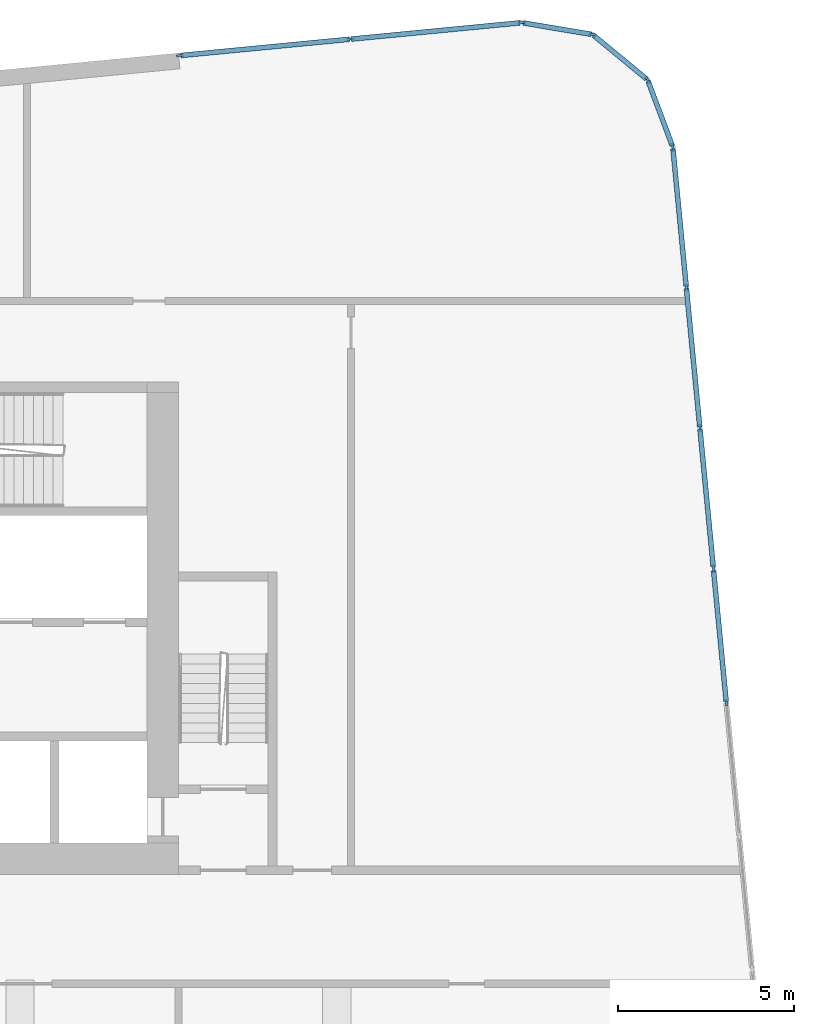
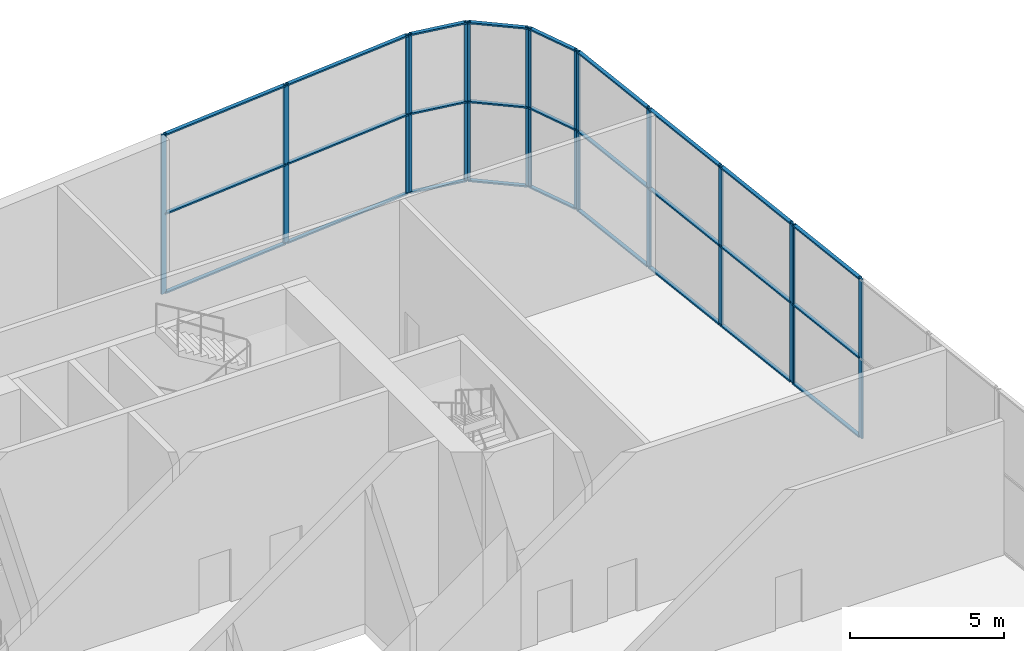
# One storey, part 8 of 25: 42 members, 6 elements without a shape of their own.
"""IFC4 building model written with IfcOpenShell, lengths in metres."""

from ifc_helpers import new_model, si_unit, direction, frame, origin, origin_2d, place, context, subcontext, project, spatial, rectangle, extrude, material, material_profile, profile_set, type_object, element, aggregate, save


model = new_model("IFC4")

# Units and contexts
model_context = context("Model", 3, precision=1e-05, world=origin(), true_north=direction((0.0, 1.0)))
body_context = subcontext(model_context, "Body", "Model", "MODEL_VIEW")
ifc_project = project(units=[si_unit("LENGTHUNIT", "METRE"), si_unit("AREAUNIT", "SQUARE_METRE"), si_unit("VOLUMEUNIT", "CUBIC_METRE"), si_unit("PLANEANGLEUNIT", "RADIAN"), si_unit("MASSUNIT", "GRAM", prefix="KILO")], contexts=[model_context])

# Site, building, storey
site_placement = place(None, origin())
site = spatial("IfcSite", under=ifc_project, at=site_placement, CompositionType="ELEMENT")
building_placement = place(site_placement, origin())
building = spatial("IfcBuilding", under=site, at=building_placement, Name="Kajstack Hotel Tower", CompositionType="ELEMENT")
storey_placement = place(building_placement, frame((0.0, 0.0, 104.199951171875)))
storey = spatial("IfcBuildingStorey", under=building, at=storey_placement, Name="L22", CompositionType="ELEMENT", Elevation=104.199951171875)

# Curtain wall, members
ifc_material_1 = material(Name="Aluminium-framed curtain wall, low-iron insulated glass", Category="aluminium")
curtain_wall_type = type_object("IfcCurtainWallType", Name="CW-GARDEN", PredefinedType="NOTDEFINED", material=ifc_material_1)
curtain_wall_1_placement = place(storey_placement, origin())
curtain_wall_1 = element("IfcCurtainWall", 1, at=curtain_wall_1_placement, inside=storey, type_object=curtain_wall_type, Name="Curtain wall CU6 L22-08-00-1", PredefinedType="NOTDEFINED")
ifc_material_2 = material(Name="Aluminium", Category="aluminium")
ifc_material_profile_1 = material_profile(ifc_material_2, rectangle(XDim=0.06005859375, YDim=0.199951171875, at=origin_2d()), Name="Aluminium mullion 60 x 200")
ifc_profile_set_1 = profile_set([ifc_material_profile_1], Name="Aluminium")
member_type_1 = type_object("IfcMemberType", Name="CW-M-GARDEN", PredefinedType="MULLION", material=ifc_profile_set_1)
member_1_placement = place(storey_placement, frame((47.068115234375, 6.392822265625, 0.0), z_axis=(0.0, 0.0, 1.0), x_axis=(-0.995396187581, -0.095845864541, 0.0)))
member_1 = element("IfcMember", 2, at=member_1_placement, type_object=member_type_1, Name="CU6 mullion 3", PredefinedType="MULLION", context=body_context, shape_type="SweptSolid", body=[
    extrude(rectangle(XDim=0.06005859375, YDim=0.199951171875, at=origin_2d()), origin(), (0.0, 0.0, 1.0), 6.320068359375),
])
member_2_placement = place(storey_placement, frame((46.705078125, 10.1630859375, 0.0), z_axis=(0.0, 0.0, 1.0), x_axis=(-0.995396187581, -0.095845864541, 0.0)))
member_2 = element("IfcMember", 3, at=member_2_placement, type_object=member_type_1, Name="CU6 mullion 4", PredefinedType="MULLION", context=body_context, shape_type="SweptSolid", body=[
    extrude(rectangle(XDim=0.06005859375, YDim=0.199951171875, at=origin_2d()), origin(), (0.0, 0.0, 1.0), 6.320068359375),
])

curtain_wall_2_placement = place(storey_placement, origin())
curtain_wall_2 = element("IfcCurtainWall", 4, at=curtain_wall_2_placement, inside=storey, type_object=curtain_wall_type, Name="Curtain wall CU6 L22-08-00-2", PredefinedType="NOTDEFINED")
member_3_placement = place(storey_placement, frame((46.69921875, 10.22265625, 0.0), z_axis=(0.0, 0.0, 1.0), x_axis=(-0.995396182124, -0.095845921211, 0.0)))
member_3 = element("IfcMember", 5, at=member_3_placement, type_object=member_type_1, Name="CU6 mullion 1", PredefinedType="MULLION", context=body_context, shape_type="SweptSolid", body=[
    extrude(rectangle(XDim=0.06005859375, YDim=0.199951171875, at=origin_2d()), origin(), (0.0, 0.0, 1.0), 6.320068359375),
])
member_4_placement = place(storey_placement, frame((46.3173828125, 14.18896484375, 0.0), z_axis=(0.0, 0.0, 1.0), x_axis=(-0.995396182124, -0.095845921211, 0.0)))
member_4 = element("IfcMember", 6, at=member_4_placement, type_object=member_type_1, Name="CU6 mullion 2", PredefinedType="MULLION", context=body_context, shape_type="SweptSolid", body=[
    extrude(rectangle(XDim=0.06005859375, YDim=0.199951171875, at=origin_2d()), origin(), (0.0, 0.0, 1.0), 6.320068359375),
])
member_5_placement = place(storey_placement, frame((45.9326171875, 18.185302734375, 0.0), z_axis=(0.0, 0.0, 1.0), x_axis=(-0.995396182124, -0.095845921211, 0.0)))
member_5 = element("IfcMember", 7, at=member_5_placement, type_object=member_type_1, Name="CU6 mullion 3", PredefinedType="MULLION", context=body_context, shape_type="SweptSolid", body=[
    extrude(rectangle(XDim=0.06005859375, YDim=0.199951171875, at=origin_2d()), origin(), (0.0, 0.0, 1.0), 6.320068359375),
])
member_6_placement = place(storey_placement, frame((45.550537109375, 22.151611328125, 0.0), z_axis=(0.0, 0.0, 1.0), x_axis=(-0.995396182124, -0.095845921211, 0.0)))
member_6 = element("IfcMember", 8, at=member_6_placement, type_object=member_type_1, Name="CU6 mullion 4", PredefinedType="MULLION", context=body_context, shape_type="SweptSolid", body=[
    extrude(rectangle(XDim=0.06005859375, YDim=0.199951171875, at=origin_2d()), origin(), (0.0, 0.0, 1.0), 6.320068359375),
])

curtain_wall_3_placement = place(storey_placement, origin())
curtain_wall_3 = element("IfcCurtainWall", 9, at=curtain_wall_3_placement, inside=storey, type_object=curtain_wall_type, Name="Curtain wall CU6 L22-09-00-0", PredefinedType="NOTDEFINED")
member_7_placement = place(storey_placement, frame((45.541748046875, 22.1904296875, 0.0), z_axis=(0.0, 0.0, 1.0), x_axis=(-0.936680004881, -0.350186476689, 0.0)))
member_7 = element("IfcMember", 10, at=member_7_placement, type_object=member_type_1, Name="CU6 mullion 1", PredefinedType="MULLION", context=body_context, shape_type="SweptSolid", body=[
    extrude(rectangle(XDim=0.06005859375, YDim=0.199951171875, at=origin_2d()), origin(), (0.0, 0.0, 1.0), 6.320068359375),
])
member_8_placement = place(storey_placement, frame((44.837646484375, 24.07373046875, 0.0), z_axis=(0.0, 0.0, 1.0), x_axis=(-0.936680004881, -0.350186476689, 0.0)))
member_8 = element("IfcMember", 11, at=member_8_placement, type_object=member_type_1, Name="CU6 mullion 2", PredefinedType="MULLION", context=body_context, shape_type="SweptSolid", body=[
    extrude(rectangle(XDim=0.06005859375, YDim=0.199951171875, at=origin_2d()), origin(), (0.0, 0.0, 1.0), 6.320068359375),
])

curtain_wall_4_placement = place(storey_placement, origin())
curtain_wall_4 = element("IfcCurtainWall", 12, at=curtain_wall_4_placement, inside=storey, type_object=curtain_wall_type, Name="Curtain wall CU6 L22-10-00-0", PredefinedType="NOTDEFINED")
member_9_placement = place(storey_placement, frame((44.826416015625, 24.08935546875, 0.0), z_axis=(0.0, 0.0, 1.0), x_axis=(-0.636066072627, -0.771634596978, 0.0)))
member_9 = element("IfcMember", 13, at=member_9_placement, type_object=member_type_1, Name="CU6 mullion 1", PredefinedType="MULLION", context=body_context, shape_type="SweptSolid", body=[
    extrude(rectangle(XDim=0.06005859375, YDim=0.199951171875, at=origin_2d()), origin(), (0.0, 0.0, 1.0), 6.320068359375),
])
member_10_placement = place(storey_placement, frame((43.275146484375, 25.3681640625, 0.0), z_axis=(0.0, 0.0, 1.0), x_axis=(-0.636066072627, -0.771634596978, 0.0)))
member_10 = element("IfcMember", 14, at=member_10_placement, type_object=member_type_1, Name="CU6 mullion 2", PredefinedType="MULLION", context=body_context, shape_type="SweptSolid", body=[
    extrude(rectangle(XDim=0.06005859375, YDim=0.199951171875, at=origin_2d()), origin(), (0.0, 0.0, 1.0), 6.320068359375),
])

curtain_wall_5_placement = place(storey_placement, origin())
curtain_wall_5 = element("IfcCurtainWall", 15, at=curtain_wall_5_placement, inside=storey, type_object=curtain_wall_type, Name="Curtain wall CU6 L22-11-00-0", PredefinedType="NOTDEFINED")
member_11_placement = place(storey_placement, frame((43.257568359375, 25.376220703125, 0.0), z_axis=(0.0, 0.0, 1.0), x_axis=(-0.16503335054, -0.986287986954, 0.0)))
member_11 = element("IfcMember", 16, at=member_11_placement, type_object=member_type_1, Name="CU6 mullion 1", PredefinedType="MULLION", context=body_context, shape_type="SweptSolid", body=[
    extrude(rectangle(XDim=0.06005859375, YDim=0.199951171875, at=origin_2d()), origin(), (0.0, 0.0, 1.0), 6.320068359375),
])
member_12_placement = place(storey_placement, frame((41.274658203125, 25.7080078125, 0.0), z_axis=(0.0, 0.0, 1.0), x_axis=(-0.16503335054, -0.986287986954, 0.0)))
member_12 = element("IfcMember", 17, at=member_12_placement, type_object=member_type_1, Name="CU6 mullion 2", PredefinedType="MULLION", context=body_context, shape_type="SweptSolid", body=[
    extrude(rectangle(XDim=0.06005859375, YDim=0.199951171875, at=origin_2d()), origin(), (0.0, 0.0, 1.0), 6.320068359375),
])

curtain_wall_6_placement = place(storey_placement, origin())
curtain_wall_6 = element("IfcCurtainWall", 18, at=curtain_wall_6_placement, inside=storey, type_object=curtain_wall_type, Name="Curtain wall CU6 L22-12-00-0", PredefinedType="NOTDEFINED")
member_13_placement = place(storey_placement, frame((41.23486328125, 25.70947265625, 0.0), z_axis=(0.0, 0.0, 1.0), x_axis=(0.095845499918, -0.99539622269, 0.0)))
member_13 = element("IfcMember", 19, at=member_13_placement, type_object=member_type_1, Name="CU6 mullion 1", PredefinedType="MULLION", context=body_context, shape_type="SweptSolid", body=[
    extrude(rectangle(XDim=0.06005859375, YDim=0.199951171875, at=origin_2d()), origin(), (0.0, 0.0, 1.0), 6.320068359375),
])
member_14_placement = place(storey_placement, frame((36.385986328125, 25.242431640625, 0.0), z_axis=(0.0, 0.0, 1.0), x_axis=(0.095845499918, -0.99539622269, 0.0)))
member_14 = element("IfcMember", 20, at=member_14_placement, type_object=member_type_1, Name="CU6 mullion 2", PredefinedType="MULLION", context=body_context, shape_type="SweptSolid", body=[
    extrude(rectangle(XDim=0.06005859375, YDim=0.199951171875, at=origin_2d()), origin(), (0.0, 0.0, 1.0), 6.320068359375),
])
member_15_placement = place(storey_placement, frame((31.537109375, 24.775634765625, 0.0), z_axis=(0.0, 0.0, 1.0), x_axis=(0.095845499918, -0.99539622269, 0.0)))
member_15 = element("IfcMember", 21, at=member_15_placement, type_object=member_type_1, Name="CU6 mullion 3", PredefinedType="MULLION", context=body_context, shape_type="SweptSolid", body=[
    extrude(rectangle(XDim=0.06005859375, YDim=0.199951171875, at=origin_2d()), origin(), (0.0, 0.0, 1.0), 6.320068359375),
])

# Member
ifc_material_profile_2 = material_profile(ifc_material_2, rectangle(XDim=0.139892578125, YDim=0.06005859375, at=origin_2d()), Name="Aluminium transom 140 x 60")
ifc_profile_set_2 = profile_set([ifc_material_profile_2], Name="Aluminium")
member_type_2 = type_object("IfcMemberType", Name="CW-T-GARDEN", PredefinedType="USERDEFINED", material=ifc_profile_set_2)
member_16_placement = place(storey_placement, frame((47.065185546875, 6.422607421875, 0.030029296875), z_axis=(-0.095884626486, 0.995392454464, 0.0), x_axis=(-0.995392454464, -0.095884626486, 0.0)))
member_16 = element("IfcMember", 22, at=member_16_placement, type_object=member_type_2, Name="CU6 transom 3.1", ObjectType="TRANSOM", PredefinedType="USERDEFINED", context=body_context, shape_type="SweptSolid", body=[
    extrude(rectangle(XDim=0.139892578125, YDim=0.06005859375, at=origin_2d()), origin(), (0.0, 0.0, 1.0), 3.7275390625),
])

member_17_placement = place(storey_placement, frame((47.065185546875, 6.422607421875, 3.16015625), z_axis=(-0.095884626486, 0.995392454464, 0.0), x_axis=(-0.995392454464, -0.095884626486, 0.0)))
member_17 = element("IfcMember", 23, at=member_17_placement, type_object=member_type_2, Name="CU6 transom 3.2", ObjectType="TRANSOM", PredefinedType="USERDEFINED", context=body_context, shape_type="SweptSolid", body=[
    extrude(rectangle(XDim=0.139892578125, YDim=0.06005859375, at=origin_2d()), origin(), (0.0, 0.0, 1.0), 3.7275390625),
])

member_18_placement = place(storey_placement, frame((47.065185546875, 6.422607421875, 6.2900390625), z_axis=(-0.095884626486, 0.995392454464, 0.0), x_axis=(-0.995392454464, -0.095884626486, 0.0)))
member_18 = element("IfcMember", 24, at=member_18_placement, type_object=member_type_2, Name="CU6 transom 3.3", ObjectType="TRANSOM", PredefinedType="USERDEFINED", context=body_context, shape_type="SweptSolid", body=[
    extrude(rectangle(XDim=0.139892578125, YDim=0.06005859375, at=origin_2d()), origin(), (0.0, 0.0, 1.0), 3.7275390625),
])

aggregate(curtain_wall_1, [member_1, member_2, member_16, member_17, member_18])

member_19_placement = place(storey_placement, frame((46.6962890625, 10.252685546875, 0.030029296875), z_axis=(-0.095801308316, 0.995400476856, 0.0), x_axis=(-0.995400476856, -0.095801308316, 0.0)))
member_19 = element("IfcMember", 25, at=member_19_placement, type_object=member_type_2, Name="CU6 transom 1.1", ObjectType="TRANSOM", PredefinedType="USERDEFINED", context=body_context, shape_type="SweptSolid", body=[
    extrude(rectangle(XDim=0.139892578125, YDim=0.06005859375, at=origin_2d()), origin(), (0.0, 0.0, 1.0), 3.924560546875),
])

member_20_placement = place(storey_placement, frame((46.6962890625, 10.252685546875, 3.16015625), z_axis=(-0.095801308316, 0.995400476856, 0.0), x_axis=(-0.995400476856, -0.095801308316, 0.0)))
member_20 = element("IfcMember", 26, at=member_20_placement, type_object=member_type_2, Name="CU6 transom 1.2", ObjectType="TRANSOM", PredefinedType="USERDEFINED", context=body_context, shape_type="SweptSolid", body=[
    extrude(rectangle(XDim=0.139892578125, YDim=0.06005859375, at=origin_2d()), origin(), (0.0, 0.0, 1.0), 3.924560546875),
])

member_21_placement = place(storey_placement, frame((46.6962890625, 10.252685546875, 6.2900390625), z_axis=(-0.095801308316, 0.995400476856, 0.0), x_axis=(-0.995400476856, -0.095801308316, 0.0)))
member_21 = element("IfcMember", 27, at=member_21_placement, type_object=member_type_2, Name="CU6 transom 1.3", ObjectType="TRANSOM", PredefinedType="USERDEFINED", context=body_context, shape_type="SweptSolid", body=[
    extrude(rectangle(XDim=0.139892578125, YDim=0.06005859375, at=origin_2d()), origin(), (0.0, 0.0, 1.0), 3.924560546875),
])

member_22_placement = place(storey_placement, frame((46.314453125, 14.218994140625, 0.030029296875), z_axis=(-0.095872383601, 0.995393633726, 0.0), x_axis=(-0.995393633726, -0.095872383601, 0.0)))
member_22 = element("IfcMember", 28, at=member_22_placement, type_object=member_type_2, Name="CU6 transom 2.1", ObjectType="TRANSOM", PredefinedType="USERDEFINED", context=body_context, shape_type="SweptSolid", body=[
    extrude(rectangle(XDim=0.139892578125, YDim=0.06005859375, at=origin_2d()), origin(), (0.0, 0.0, 1.0), 3.954833984375),
])

member_23_placement = place(storey_placement, frame((46.314453125, 14.218994140625, 3.16015625), z_axis=(-0.095872383601, 0.995393633726, 0.0), x_axis=(-0.995393633726, -0.095872383601, 0.0)))
member_23 = element("IfcMember", 29, at=member_23_placement, type_object=member_type_2, Name="CU6 transom 2.2", ObjectType="TRANSOM", PredefinedType="USERDEFINED", context=body_context, shape_type="SweptSolid", body=[
    extrude(rectangle(XDim=0.139892578125, YDim=0.06005859375, at=origin_2d()), origin(), (0.0, 0.0, 1.0), 3.954833984375),
])

member_24_placement = place(storey_placement, frame((46.314453125, 14.218994140625, 6.2900390625), z_axis=(-0.095872383601, 0.995393633726, 0.0), x_axis=(-0.995393633726, -0.095872383601, 0.0)))
member_24 = element("IfcMember", 30, at=member_24_placement, type_object=member_type_2, Name="CU6 transom 2.3", ObjectType="TRANSOM", PredefinedType="USERDEFINED", context=body_context, shape_type="SweptSolid", body=[
    extrude(rectangle(XDim=0.139892578125, YDim=0.06005859375, at=origin_2d()), origin(), (0.0, 0.0, 1.0), 3.954833984375),
])

member_25_placement = place(storey_placement, frame((45.9296875, 18.215087890625, 0.030029296875), z_axis=(-0.095857009824, 0.995395114348, 0.0), x_axis=(-0.995395114348, -0.095857009824, 0.0)))
member_25 = element("IfcMember", 31, at=member_25_placement, type_object=member_type_2, Name="CU6 transom 3.1", ObjectType="TRANSOM", PredefinedType="USERDEFINED", context=body_context, shape_type="SweptSolid", body=[
    extrude(rectangle(XDim=0.139892578125, YDim=0.06005859375, at=origin_2d()), origin(), (0.0, 0.0, 1.0), 3.9248046875),
])

member_26_placement = place(storey_placement, frame((45.9296875, 18.215087890625, 3.16015625), z_axis=(-0.095857009824, 0.995395114348, 0.0), x_axis=(-0.995395114348, -0.095857009824, 0.0)))
member_26 = element("IfcMember", 32, at=member_26_placement, type_object=member_type_2, Name="CU6 transom 3.2", ObjectType="TRANSOM", PredefinedType="USERDEFINED", context=body_context, shape_type="SweptSolid", body=[
    extrude(rectangle(XDim=0.139892578125, YDim=0.06005859375, at=origin_2d()), origin(), (0.0, 0.0, 1.0), 3.9248046875),
])

member_27_placement = place(storey_placement, frame((45.9296875, 18.215087890625, 6.2900390625), z_axis=(-0.095857009824, 0.995395114348, 0.0), x_axis=(-0.995395114348, -0.095857009824, 0.0)))
member_27 = element("IfcMember", 33, at=member_27_placement, type_object=member_type_2, Name="CU6 transom 3.3", ObjectType="TRANSOM", PredefinedType="USERDEFINED", context=body_context, shape_type="SweptSolid", body=[
    extrude(rectangle(XDim=0.139892578125, YDim=0.06005859375, at=origin_2d()), origin(), (0.0, 0.0, 1.0), 3.9248046875),
])

aggregate(curtain_wall_2, [member_3, member_4, member_5, member_6, member_19, member_20, member_21, member_22, member_23, member_24, member_25, member_26, member_27])

member_28_placement = place(storey_placement, frame((45.53125, 22.21875, 0.030029296875), z_axis=(-0.350231645231, 0.936663116963, 0.0), x_axis=(-0.936663116963, -0.350231645231, 0.0)))
member_28 = element("IfcMember", 34, at=member_28_placement, type_object=member_type_2, Name="CU6 transom 1.1", ObjectType="TRANSOM", PredefinedType="USERDEFINED", context=body_context, shape_type="SweptSolid", body=[
    extrude(rectangle(XDim=0.139892578125, YDim=0.06005859375, at=origin_2d()), origin(), (0.0, 0.0, 1.0), 1.950439453125),
])

member_29_placement = place(storey_placement, frame((45.53125, 22.21875, 3.16015625), z_axis=(-0.350231645231, 0.936663116963, 0.0), x_axis=(-0.936663116963, -0.350231645231, 0.0)))
member_29 = element("IfcMember", 35, at=member_29_placement, type_object=member_type_2, Name="CU6 transom 1.2", ObjectType="TRANSOM", PredefinedType="USERDEFINED", context=body_context, shape_type="SweptSolid", body=[
    extrude(rectangle(XDim=0.139892578125, YDim=0.06005859375, at=origin_2d()), origin(), (0.0, 0.0, 1.0), 1.950439453125),
])

member_30_placement = place(storey_placement, frame((45.53125, 22.21875, 6.2900390625), z_axis=(-0.350231645231, 0.936663116963, 0.0), x_axis=(-0.936663116963, -0.350231645231, 0.0)))
member_30 = element("IfcMember", 36, at=member_30_placement, type_object=member_type_2, Name="CU6 transom 1.3", ObjectType="TRANSOM", PredefinedType="USERDEFINED", context=body_context, shape_type="SweptSolid", body=[
    extrude(rectangle(XDim=0.139892578125, YDim=0.06005859375, at=origin_2d()), origin(), (0.0, 0.0, 1.0), 1.950439453125),
])

aggregate(curtain_wall_3, [member_7, member_8, member_28, member_29, member_30])

member_31_placement = place(storey_placement, frame((44.80322265625, 24.1083984375, 0.030029296875), z_axis=(-0.771626660907, 0.636075700037, 0.0), x_axis=(-0.636075700037, -0.771626660907, 0.0)))
member_31 = element("IfcMember", 37, at=member_31_placement, type_object=member_type_2, Name="CU6 transom 1.1", ObjectType="TRANSOM", PredefinedType="USERDEFINED", context=body_context, shape_type="SweptSolid", body=[
    extrude(rectangle(XDim=0.139892578125, YDim=0.06005859375, at=origin_2d()), origin(), (0.0, 0.0, 1.0), 1.95068359375),
])

member_32_placement = place(storey_placement, frame((44.80322265625, 24.1083984375, 3.16015625), z_axis=(-0.771626660907, 0.636075700037, 0.0), x_axis=(-0.636075700037, -0.771626660907, 0.0)))
member_32 = element("IfcMember", 38, at=member_32_placement, type_object=member_type_2, Name="CU6 transom 1.2", ObjectType="TRANSOM", PredefinedType="USERDEFINED", context=body_context, shape_type="SweptSolid", body=[
    extrude(rectangle(XDim=0.139892578125, YDim=0.06005859375, at=origin_2d()), origin(), (0.0, 0.0, 1.0), 1.95068359375),
])

member_33_placement = place(storey_placement, frame((44.80322265625, 24.1083984375, 6.2900390625), z_axis=(-0.771626660907, 0.636075700037, 0.0), x_axis=(-0.636075700037, -0.771626660907, 0.0)))
member_33 = element("IfcMember", 39, at=member_33_placement, type_object=member_type_2, Name="CU6 transom 1.3", ObjectType="TRANSOM", PredefinedType="USERDEFINED", context=body_context, shape_type="SweptSolid", body=[
    extrude(rectangle(XDim=0.139892578125, YDim=0.06005859375, at=origin_2d()), origin(), (0.0, 0.0, 1.0), 1.95068359375),
])

aggregate(curtain_wall_4, [member_9, member_10, member_31, member_32, member_33])

member_34_placement = place(storey_placement, frame((43.22802734375, 25.381103515625, 0.030029296875), z_axis=(-0.986278668464, 0.165089030927, 0.0), x_axis=(-0.165089030927, -0.986278668464, 0.0)))
member_34 = element("IfcMember", 40, at=member_34_placement, type_object=member_type_2, Name="CU6 transom 1.1", ObjectType="TRANSOM", PredefinedType="USERDEFINED", context=body_context, shape_type="SweptSolid", body=[
    extrude(rectangle(XDim=0.139892578125, YDim=0.06005859375, at=origin_2d()), origin(), (0.0, 0.0, 1.0), 1.95068359375),
])

member_35_placement = place(storey_placement, frame((43.22802734375, 25.381103515625, 3.16015625), z_axis=(-0.986278668464, 0.165089030927, 0.0), x_axis=(-0.165089030927, -0.986278668464, 0.0)))
member_35 = element("IfcMember", 41, at=member_35_placement, type_object=member_type_2, Name="CU6 transom 1.2", ObjectType="TRANSOM", PredefinedType="USERDEFINED", context=body_context, shape_type="SweptSolid", body=[
    extrude(rectangle(XDim=0.139892578125, YDim=0.06005859375, at=origin_2d()), origin(), (0.0, 0.0, 1.0), 1.95068359375),
])

member_36_placement = place(storey_placement, frame((43.22802734375, 25.381103515625, 6.2900390625), z_axis=(-0.986278668464, 0.165089030927, 0.0), x_axis=(-0.165089030927, -0.986278668464, 0.0)))
member_36 = element("IfcMember", 42, at=member_36_placement, type_object=member_type_2, Name="CU6 transom 1.3", ObjectType="TRANSOM", PredefinedType="USERDEFINED", context=body_context, shape_type="SweptSolid", body=[
    extrude(rectangle(XDim=0.139892578125, YDim=0.06005859375, at=origin_2d()), origin(), (0.0, 0.0, 1.0), 1.95068359375),
])

aggregate(curtain_wall_5, [member_11, member_12, member_34, member_35, member_36])

member_37_placement = place(storey_placement, frame((41.205078125, 25.70654296875, 0.030029296875), z_axis=(-0.995395725192, -0.095850666508, 0.0), x_axis=(0.095850666508, -0.995395725192, 0.0)))
member_37 = element("IfcMember", 43, at=member_37_placement, type_object=member_type_2, Name="CU6 transom 1.1", ObjectType="TRANSOM", PredefinedType="USERDEFINED", context=body_context, shape_type="SweptSolid", body=[
    extrude(rectangle(XDim=0.139892578125, YDim=0.06005859375, at=origin_2d()), origin(), (0.0, 0.0, 1.0), 4.8115234375),
])

member_38_placement = place(storey_placement, frame((41.205078125, 25.70654296875, 3.16015625), z_axis=(-0.995395725192, -0.095850666508, 0.0), x_axis=(0.095850666508, -0.995395725192, 0.0)))
member_38 = element("IfcMember", 44, at=member_38_placement, type_object=member_type_2, Name="CU6 transom 1.2", ObjectType="TRANSOM", PredefinedType="USERDEFINED", context=body_context, shape_type="SweptSolid", body=[
    extrude(rectangle(XDim=0.139892578125, YDim=0.06005859375, at=origin_2d()), origin(), (0.0, 0.0, 1.0), 4.8115234375),
])

member_39_placement = place(storey_placement, frame((41.205078125, 25.70654296875, 6.2900390625), z_axis=(-0.995395725192, -0.095850666508, 0.0), x_axis=(0.095850666508, -0.995395725192, 0.0)))
member_39 = element("IfcMember", 45, at=member_39_placement, type_object=member_type_2, Name="CU6 transom 1.3", ObjectType="TRANSOM", PredefinedType="USERDEFINED", context=body_context, shape_type="SweptSolid", body=[
    extrude(rectangle(XDim=0.139892578125, YDim=0.06005859375, at=origin_2d()), origin(), (0.0, 0.0, 1.0), 4.8115234375),
])

member_40_placement = place(storey_placement, frame((36.356201171875, 25.239501953125, 0.030029296875), z_axis=(-0.995400565157, -0.095800390835, 0.0), x_axis=(0.095800390835, -0.995400565157, 0.0)))
member_40 = element("IfcMember", 46, at=member_40_placement, type_object=member_type_2, Name="CU6 transom 2.1", ObjectType="TRANSOM", PredefinedType="USERDEFINED", context=body_context, shape_type="SweptSolid", body=[
    extrude(rectangle(XDim=0.139892578125, YDim=0.06005859375, at=origin_2d()), origin(), (0.0, 0.0, 1.0), 4.8115234375),
])

member_41_placement = place(storey_placement, frame((36.356201171875, 25.239501953125, 3.16015625), z_axis=(-0.995400565157, -0.095800390835, 0.0), x_axis=(0.095800390835, -0.995400565157, 0.0)))
member_41 = element("IfcMember", 47, at=member_41_placement, type_object=member_type_2, Name="CU6 transom 2.2", ObjectType="TRANSOM", PredefinedType="USERDEFINED", context=body_context, shape_type="SweptSolid", body=[
    extrude(rectangle(XDim=0.139892578125, YDim=0.06005859375, at=origin_2d()), origin(), (0.0, 0.0, 1.0), 4.8115234375),
])

member_42_placement = place(storey_placement, frame((36.356201171875, 25.239501953125, 6.2900390625), z_axis=(-0.995400565157, -0.095800390835, 0.0), x_axis=(0.095800390835, -0.995400565157, 0.0)))
member_42 = element("IfcMember", 48, at=member_42_placement, type_object=member_type_2, Name="CU6 transom 2.3", ObjectType="TRANSOM", PredefinedType="USERDEFINED", context=body_context, shape_type="SweptSolid", body=[
    extrude(rectangle(XDim=0.139892578125, YDim=0.06005859375, at=origin_2d()), origin(), (0.0, 0.0, 1.0), 4.8115234375),
])

aggregate(curtain_wall_6, [member_13, member_14, member_15, member_37, member_38, member_39, member_40, member_41, member_42])

save(model, "model.ifc")
